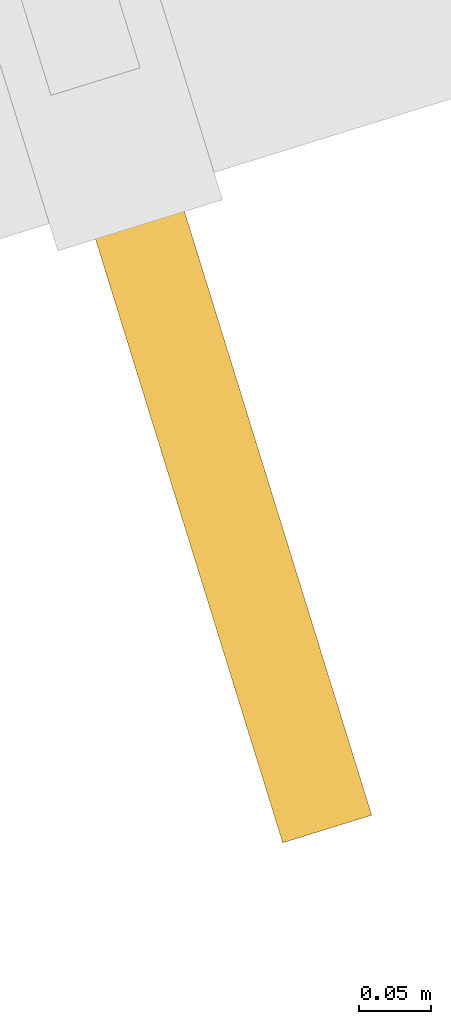
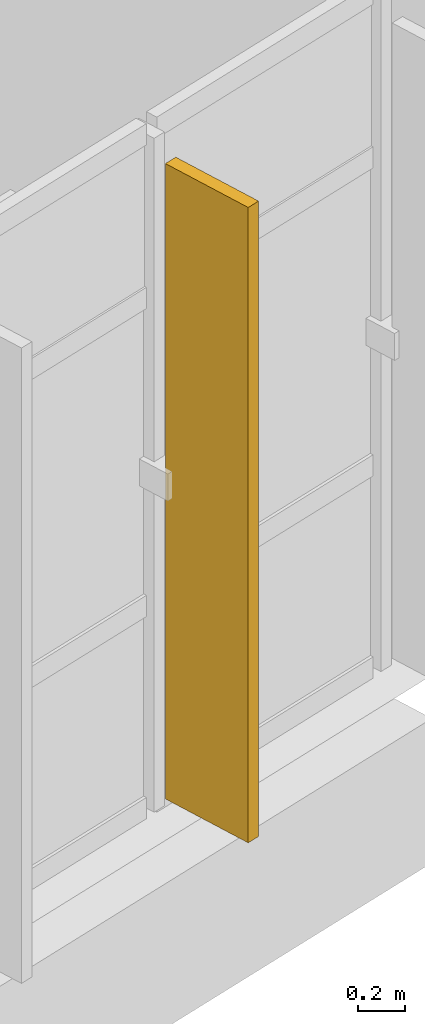
# One storey, part 130 of 142: 1 shading device.
"""IFC4 building model written with IfcOpenShell, lengths in metres."""

import ifcopenshell
import ifcopenshell.guid

model = None  # the IFC model being written
_history = None  # IfcOwnerHistory: only IFC2X3 demands one
_inside = {}  # id of a spatial element -> (the spatial element, [elements in it])
_under = {}  # id of a project, library or spatial element -> (it, [spatial elements below it])
_declared = {}  # id of a project -> (the project, [libraries it declares])
_typed = {}  # id of a type object -> (the type object, [elements of that type])
_made_of = {}  # id of a material, layer set ... -> (it, [elements and type objects made of it])


def new_model(schema):
    """Start an empty IFC model of exactly this schema.

    Asked for "IFC4X3", IfcOpenShell would pick the latest addendum, in which some entities
    have other attributes; the version numbers below select the first issue.
    IFC2X3 requires an IfcOwnerHistory on every rooted entity: one is made here for all.
    """
    global model, _history
    if schema == "IFC4X3":
        model = ifcopenshell.file(schema_version=(4, 3, 0, 0))
    else:
        model = ifcopenshell.file(schema=schema)
    _inside.clear()
    _under.clear()
    _declared.clear()
    _typed.clear()
    _made_of.clear()
    _history = None
    if model.schema == "IFC2X3":
        org = make("IfcOrganization", Name="unknown")
        user = make(
            "IfcPersonAndOrganization",
            ThePerson=make("IfcPerson", FamilyName="unknown"),
            TheOrganization=org,
        )
        app = make(
            "IfcApplication",
            ApplicationDeveloper=org,
            Version="unknown",
            ApplicationFullName="unknown",
            ApplicationIdentifier="unknown",
        )
        _history = make(
            "IfcOwnerHistory",
            OwningUser=user,
            OwningApplication=app,
            ChangeAction="ADDED",
            CreationDate=0,
        )
    return model


def make(cls, **values):
    """One entity of the class cls with the attributes given. An attribute that is None is left unset."""
    return model.create_entity(
        cls, **{name: value for name, value in values.items() if value is not None}
    )


def rooted(cls, **values):
    """An entity with a GlobalId (a new one), such as an element, a storey or a relation."""
    return make(cls, GlobalId=ifcopenshell.guid.new(), OwnerHistory=_history, **values)


def si_unit(unit_type, name, prefix=None):
    """IfcSIUnit, for example si_unit("LENGTHUNIT", "METRE", prefix="MILLI")."""
    return make("IfcSIUnit", UnitType=unit_type, Prefix=prefix, Name=name)


def assignment(units):
    """IfcUnitAssignment: the units of a project."""
    return None if units is None else make("IfcUnitAssignment", Units=units)


def point(xyz):
    """IfcCartesianPoint."""
    return None if xyz is None else make("IfcCartesianPoint", Coordinates=xyz)


def direction(xyz):
    """IfcDirection."""
    return None if xyz is None else make("IfcDirection", DirectionRatios=xyz)


def frame(location, z_axis=None, x_axis=None):
    """IfcAxis2Placement3D, a coordinate frame: its origin and axes. An axis left out is left unset."""
    return make(
        "IfcAxis2Placement3D",
        Location=point(location),
        Axis=direction(z_axis),
        RefDirection=direction(x_axis),
    )


def frame_2d(location, x_axis=None):
    """IfcAxis2Placement2D, a coordinate frame in the plane: its origin and x axis."""
    return make(
        "IfcAxis2Placement2D", Location=point(location), RefDirection=direction(x_axis)
    )


def origin():
    """The frame at (0, 0, 0) with its axes left unset."""
    return frame((0.0, 0.0, 0.0))


def origin_2d():
    """The frame at (0, 0) in the plane with its x axis left unset."""
    return frame_2d((0.0, 0.0))


def place(relative_to, where):
    """IfcLocalPlacement: puts the frame where relative to a parent placement (None: the world)."""
    return make(
        "IfcLocalPlacement", PlacementRelTo=relative_to, RelativePlacement=where
    )


def context(
    kind, dimensions, precision=None, world=None, true_north=None, identifier=None
):
    """IfcGeometricRepresentationContext, for example the 3D "Model" context."""
    return make(
        "IfcGeometricRepresentationContext",
        ContextIdentifier=identifier,
        ContextType=kind,
        CoordinateSpaceDimension=dimensions,
        Precision=precision,
        WorldCoordinateSystem=world,
        TrueNorth=true_north,
    )


def subcontext(parent, identifier, kind, view, scale=None):
    """IfcGeometricRepresentationSubContext, for example "Body" below "Model"."""
    return make(
        "IfcGeometricRepresentationSubContext",
        ContextIdentifier=identifier,
        ContextType=kind,
        ParentContext=parent,
        TargetScale=scale,
        TargetView=view,
    )


def project(units=None, contexts=None):
    """IfcProject with its units and contexts."""
    return rooted(
        "IfcProject",
        Name="project",
        RepresentationContexts=contexts,
        UnitsInContext=assignment(units),
    )


def spatial(cls, under=None, at=None, **own):
    """A site, building, storey or space (cls), placed at a placement, below another one or the project."""
    s = rooted(cls, ObjectPlacement=at, **own)
    if under is not None:
        _under.setdefault(under.id(), (under, []))[1].append(s)
    return s


def profile(cls, at=None, kind="AREA", **sizes):
    """A parametric profile (cls). Its sizes go by their IFC names, for example OverallWidth=200.0."""
    return make(cls, ProfileType=kind, Position=at, **sizes)


def rectangle(**sizes):
    """IfcRectangleProfileDef."""
    return profile("IfcRectangleProfileDef", **sizes)


def extrude(swept, where, along, depth):
    """IfcExtrudedAreaSolid: the profile swept, set in the frame where, extruded along a direction by depth."""
    return make(
        "IfcExtrudedAreaSolid",
        SweptArea=swept,
        Position=where,
        ExtrudedDirection=direction(along),
        Depth=depth,
    )


def shape(context_of_items, identifier, shape_type, items):
    """IfcShapeRepresentation: the items that make up one representation, for example the "Body"."""
    return make(
        "IfcShapeRepresentation",
        ContextOfItems=context_of_items,
        RepresentationIdentifier=identifier,
        RepresentationType=shape_type,
        Items=items,
    )


def material(Name=None, Category=None):
    """IfcMaterial."""
    return make("IfcMaterial", Name=Name, Category=Category)


def made_of(thing, what):
    """Note that an element or type object is made of a material, layer set ...; save() writes the relation."""
    if what is not None:
        _made_of.setdefault(what.id(), (what, []))[1].append(thing)
    return thing


def type_object(cls, material=None, **own):
    """A type object (cls), such as IfcWallType, which elements share."""
    return made_of(rooted(cls, **own), material)


def element(
    cls,
    number,
    at=None,
    inside=None,
    cuts=None,
    type_object=None,
    material=None,
    context=None,
    identifier="Body",
    shape_type=None,
    held_by="IfcProductDefinitionShape",
    body=None,
    shapes=None,
    **own,
):
    """One element of the class cls, such as IfcWall. Its Tag is "e" and its number.

    at: its placement. inside: the storey or other place that contains it. cuts: it is an
    opening in that element (IfcRelVoidsElement). A single representation is given by context,
    identifier, shape_type and body (its items); several are given by shapes. held_by: the class
    of the entity that holds the representations. save() writes the other relations.
    """
    e = rooted(cls, Tag="e%d" % number, ObjectPlacement=at, **own)
    if body is not None:
        shapes = [shape(context, identifier, shape_type, body)]
    if shapes is not None:
        e.Representation = make(held_by, Representations=shapes)
    if inside is not None:
        _inside.setdefault(inside.id(), (inside, []))[1].append(e)
    if cuts is not None:
        rooted(
            "IfcRelVoidsElement", RelatingBuildingElement=cuts, RelatedOpeningElement=e
        )
    if type_object is not None:
        _typed.setdefault(type_object.id(), (type_object, []))[1].append(e)
    return made_of(e, material)


def aggregate(whole, parts):
    """IfcRelAggregates: a whole, such as a stair, and the parts it consists of."""
    return rooted("IfcRelAggregates", RelatingObject=whole, RelatedObjects=parts)


def save(model, path):
    """Write the relations noted so far, then the file.

    IfcRelAggregates (storeys below a building ...), IfcRelContainedInSpatialStructure (elements
    in a storey), IfcRelDefinesByType, IfcRelAssociatesMaterial and IfcRelDeclares: one each for
    every whole, place, type object, material and project.
    """
    for whole, parts in _under.values():
        aggregate(whole, parts)
    for where, things in _inside.values():
        rooted(
            "IfcRelContainedInSpatialStructure",
            RelatedElements=things,
            RelatingStructure=where,
        )
    for kind, things in _typed.values():
        rooted("IfcRelDefinesByType", RelatedObjects=things, RelatingType=kind)
    for what, things in _made_of.values():
        rooted("IfcRelAssociatesMaterial", RelatedObjects=things, RelatingMaterial=what)
    for by, libraries in _declared.values():
        rooted("IfcRelDeclares", RelatingContext=by, RelatedDefinitions=libraries)
    model.write(path)


model = new_model("IFC4")

# Units and contexts
model_context = context("Model", 3, precision=1e-05, world=origin(), true_north=direction((0.0, 1.0)))
body_context = subcontext(model_context, "Body", "Model", "MODEL_VIEW")
ifc_project = project(units=[si_unit("LENGTHUNIT", "METRE"), si_unit("AREAUNIT", "SQUARE_METRE"), si_unit("VOLUMEUNIT", "CUBIC_METRE"), si_unit("PLANEANGLEUNIT", "RADIAN"), si_unit("MASSUNIT", "GRAM", prefix="KILO")], contexts=[model_context])

# Site, building, storey
site_placement = place(None, origin())
site = spatial("IfcSite", under=ifc_project, at=site_placement, CompositionType="ELEMENT")
building_placement = place(site_placement, origin())
building = spatial("IfcBuilding", under=site, at=building_placement, Name="Corvandel Quay Wholesale Market", CompositionType="ELEMENT")
storey_placement = place(building_placement, frame((0.0, 0.0, 10.800048828125)))
storey = spatial("IfcBuildingStorey", under=building, at=storey_placement, Name="L02", CompositionType="ELEMENT", Elevation=10.800048828125)

# Shading device
ifc_material = material(Name="Bronze anodised extruded aluminium 6063-T6", Category="aluminium")
shading_device_type = type_object("IfcShadingDeviceType", Name="Vertical Anodised Bronze Solar Fin FN01 480mm", PredefinedType="JALOUSIE", material=ifc_material)
shading_device_placement = place(storey_placement, frame((147.93798828125, 94.860107421875, 0.10009765625), z_axis=(0.0, 0.0, 1.0), x_axis=(-0.296208192067, 0.955123398809, 0.0)))
element("IfcShadingDevice", 1, at=shading_device_placement, inside=storey, type_object=shading_device_type, Name="Solar Fin 0399", PredefinedType="JALOUSIE", context=body_context, shape_type="SweptSolid", body=[
    extrude(rectangle(XDim=0.47998046875, YDim=0.06494140625, at=origin_2d()), origin(), (0.0, 0.0, 1.0), 3.300048828125),
])

save(model, "model.ifc")
